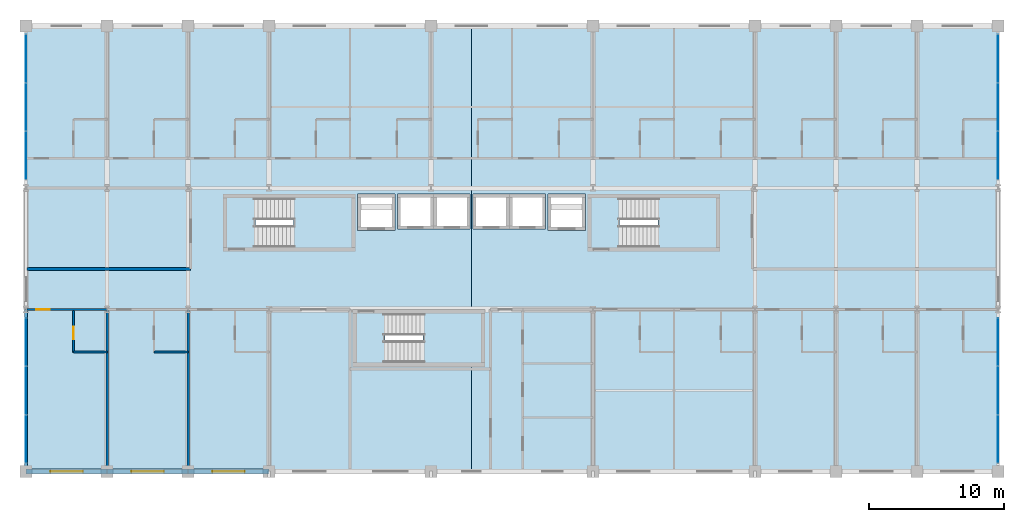
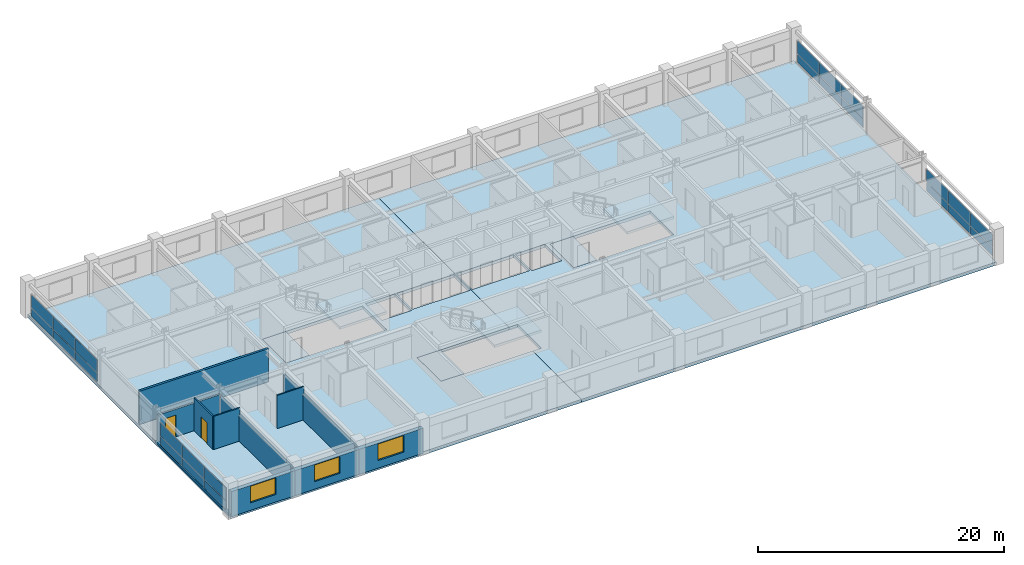
# One storey, part 15 of 22: 24 plates, 11 walls, 8 slabs, 3 windows, 2 doors, 5 openings, 7 elements without a shape of their own.
"""IFC4 building model written with IfcOpenShell, lengths in metres."""

from ifc_helpers import new_model, si_unit, direction, frame, frame_2d, origin, origin_2d, place, context, subcontext, project, spatial, polyline, rectangle, outline, extrude, material, layer, layer_set, type_object, element, fill, aggregate, save


model = new_model("IFC4")

# Units and contexts
model_context = context("Model", 3, precision=1e-05, world=origin(), true_north=direction((0.0, 1.0)))
body_context = subcontext(model_context, "Body", "Model", "MODEL_VIEW")
ifc_project = project(units=[si_unit("LENGTHUNIT", "METRE"), si_unit("AREAUNIT", "SQUARE_METRE"), si_unit("VOLUMEUNIT", "CUBIC_METRE"), si_unit("PLANEANGLEUNIT", "RADIAN"), si_unit("MASSUNIT", "GRAM", prefix="KILO")], contexts=[model_context])

# Site, building, storey
site_placement = place(None, origin())
site = spatial("IfcSite", under=ifc_project, at=site_placement, CompositionType="ELEMENT")
building_placement = place(site_placement, origin())
building = spatial("IfcBuilding", under=site, at=building_placement, Name="Kaldorvane Square Convention Centre", CompositionType="ELEMENT")
storey_placement = place(building_placement, frame((0.0, 0.0, 34.80000305175781)))
storey = spatial("IfcBuildingStorey", under=building, at=storey_placement, Name="L07", CompositionType="ELEMENT", Elevation=34.80000305175781)

# Curtain wall, plates
ifc_material_1 = material(Name="Anodized Aluminum and Low-E Insulated Glazing", Category="aluminium")
curtain_wall_type_1 = type_object("IfcCurtainWallType", Name="CW-UNI-HTL-A", PredefinedType="USERDEFINED", material=ifc_material_1)
curtain_wall_1_placement = place(storey_placement, origin())
curtain_wall_1 = element("IfcCurtainWall", 1, at=curtain_wall_1_placement, inside=storey, type_object=curtain_wall_type_1, Name="Curtain Wall CW-10 (L07)", ObjectType="UNITISED GLAZING", PredefinedType="USERDEFINED")
ifc_layer_1 = layer(ifc_material_1, 0.0240020751953125)
ifc_layer_set_1 = layer_set([ifc_layer_1], Name="Anodized Aluminum and Low-E Insulated Glazing")
plate_type_1 = type_object("IfcPlateType", Name="CW-PNL-11", PredefinedType="CURTAIN_PANEL", material=ifc_layer_set_1)
plate_1_placement = place(storey_placement, frame((96.0, 86.41499328613281, 0.2050018310546875), z_axis=(0.0, 0.0, 1.0), x_axis=(0.0, 1.0, 0.0)))
plate_1 = element("IfcPlate", 2, at=plate_1_placement, type_object=plate_type_1, Name="CW-10 panel 1.1", PredefinedType="CURTAIN_PANEL", context=body_context, shape_type="SweptSolid", body=[
    extrude(rectangle(XDim=3.5099945068359375, YDim=0.0240020751953125, at=origin_2d()), origin(), (0.0, 0.0, 1.0), 0.8175048828125),
])
plate_2_placement = place(storey_placement, frame((96.0, 86.41499328613281, 1.0774993896484375), z_axis=(0.0, 0.0, 1.0), x_axis=(0.0, 1.0, 0.0)))
plate_2 = element("IfcPlate", 3, at=plate_2_placement, type_object=plate_type_1, Name="CW-10 panel 1.2", PredefinedType="CURTAIN_PANEL", context=body_context, shape_type="SweptSolid", body=[
    extrude(rectangle(XDim=3.5099945068359375, YDim=0.0240020751953125, at=origin_2d()), origin(), (0.0, 0.0, 1.0), 1.277496337890625),
])
plate_3_placement = place(storey_placement, frame((96.0, 90.0, 0.2050018310546875), z_axis=(0.0, 0.0, 1.0), x_axis=(0.0, 1.0, 0.0)))
plate_3 = element("IfcPlate", 4, at=plate_3_placement, type_object=plate_type_1, Name="CW-10 panel 2.1", PredefinedType="CURTAIN_PANEL", context=body_context, shape_type="SweptSolid", body=[
    extrude(rectangle(XDim=3.5399932861328125, YDim=0.0240020751953125, at=origin_2d()), origin(), (0.0, 0.0, 1.0), 0.8175048828125),
])
plate_4_placement = place(storey_placement, frame((96.0, 90.0, 1.0774993896484375), z_axis=(0.0, 0.0, 1.0), x_axis=(0.0, 1.0, 0.0)))
plate_4 = element("IfcPlate", 5, at=plate_4_placement, type_object=plate_type_1, Name="CW-10 panel 2.2", PredefinedType="CURTAIN_PANEL", context=body_context, shape_type="SweptSolid", body=[
    extrude(rectangle(XDim=3.5399932861328125, YDim=0.0240020751953125, at=origin_2d()), origin(), (0.0, 0.0, 1.0), 1.277496337890625),
])
plate_5_placement = place(storey_placement, frame((96.0, 93.58500671386719, 0.2050018310546875), z_axis=(0.0, 0.0, 1.0), x_axis=(0.0, 1.0, 0.0)))
plate_5 = element("IfcPlate", 6, at=plate_5_placement, type_object=plate_type_1, Name="CW-10 panel 3.1", PredefinedType="CURTAIN_PANEL", context=body_context, shape_type="SweptSolid", body=[
    extrude(rectangle(XDim=3.5099945068359375, YDim=0.0240020751953125, at=origin_2d()), origin(), (0.0, 0.0, 1.0), 0.8175048828125),
])
plate_6_placement = place(storey_placement, frame((96.0, 93.58500671386719, 1.0774993896484375), z_axis=(0.0, 0.0, 1.0), x_axis=(0.0, 1.0, 0.0)))
plate_6 = element("IfcPlate", 7, at=plate_6_placement, type_object=plate_type_1, Name="CW-10 panel 3.2", PredefinedType="CURTAIN_PANEL", context=body_context, shape_type="SweptSolid", body=[
    extrude(rectangle(XDim=3.5099945068359375, YDim=0.0240020751953125, at=origin_2d()), origin(), (0.0, 0.0, 1.0), 1.277496337890625),
])
aggregate(curtain_wall_1, [plate_1, plate_2, plate_3, plate_4, plate_5, plate_6])

curtain_wall_2_placement = place(storey_placement, origin())
curtain_wall_2 = element("IfcCurtainWall", 8, at=curtain_wall_2_placement, inside=storey, type_object=curtain_wall_type_1, Name="Curtain Wall CW-10 (L07)", ObjectType="UNITISED GLAZING", PredefinedType="USERDEFINED")
plate_7_placement = place(storey_placement, frame((96.0, 107.41499328613281, 0.2050018310546875), z_axis=(0.0, 0.0, 1.0), x_axis=(0.0, 1.0, 0.0)))
plate_7 = element("IfcPlate", 9, at=plate_7_placement, type_object=plate_type_1, Name="CW-10 panel 1.1", PredefinedType="CURTAIN_PANEL", context=body_context, shape_type="SweptSolid", body=[
    extrude(rectangle(XDim=3.5099945068359375, YDim=0.0240020751953125, at=origin_2d()), origin(), (0.0, 0.0, 1.0), 0.8175048828125),
])
plate_8_placement = place(storey_placement, frame((96.0, 107.41499328613281, 1.0774993896484375), z_axis=(0.0, 0.0, 1.0), x_axis=(0.0, 1.0, 0.0)))
plate_8 = element("IfcPlate", 10, at=plate_8_placement, type_object=plate_type_1, Name="CW-10 panel 1.2", PredefinedType="CURTAIN_PANEL", context=body_context, shape_type="SweptSolid", body=[
    extrude(rectangle(XDim=3.5099945068359375, YDim=0.0240020751953125, at=origin_2d()), origin(), (0.0, 0.0, 1.0), 1.277496337890625),
])
plate_9_placement = place(storey_placement, frame((96.0, 111.0, 0.2050018310546875), z_axis=(0.0, 0.0, 1.0), x_axis=(0.0, 1.0, 0.0)))
plate_9 = element("IfcPlate", 11, at=plate_9_placement, type_object=plate_type_1, Name="CW-10 panel 2.1", PredefinedType="CURTAIN_PANEL", context=body_context, shape_type="SweptSolid", body=[
    extrude(rectangle(XDim=3.5399932861328125, YDim=0.0240020751953125, at=origin_2d()), origin(), (0.0, 0.0, 1.0), 0.8175048828125),
])
plate_10_placement = place(storey_placement, frame((96.0, 111.0, 1.0774993896484375), z_axis=(0.0, 0.0, 1.0), x_axis=(0.0, 1.0, 0.0)))
plate_10 = element("IfcPlate", 12, at=plate_10_placement, type_object=plate_type_1, Name="CW-10 panel 2.2", PredefinedType="CURTAIN_PANEL", context=body_context, shape_type="SweptSolid", body=[
    extrude(rectangle(XDim=3.5399932861328125, YDim=0.0240020751953125, at=origin_2d()), origin(), (0.0, 0.0, 1.0), 1.277496337890625),
])
plate_11_placement = place(storey_placement, frame((96.0, 114.58500671386719, 0.2050018310546875), z_axis=(0.0, 0.0, 1.0), x_axis=(0.0, 1.0, 0.0)))
plate_11 = element("IfcPlate", 13, at=plate_11_placement, type_object=plate_type_1, Name="CW-10 panel 3.1", PredefinedType="CURTAIN_PANEL", context=body_context, shape_type="SweptSolid", body=[
    extrude(rectangle(XDim=3.5099945068359375, YDim=0.0240020751953125, at=origin_2d()), origin(), (0.0, 0.0, 1.0), 0.8175048828125),
])
plate_12_placement = place(storey_placement, frame((96.0, 114.58500671386719, 1.0774993896484375), z_axis=(0.0, 0.0, 1.0), x_axis=(0.0, 1.0, 0.0)))
plate_12 = element("IfcPlate", 14, at=plate_12_placement, type_object=plate_type_1, Name="CW-10 panel 3.2", PredefinedType="CURTAIN_PANEL", context=body_context, shape_type="SweptSolid", body=[
    extrude(rectangle(XDim=3.5099945068359375, YDim=0.0240020751953125, at=origin_2d()), origin(), (0.0, 0.0, 1.0), 1.277496337890625),
])
aggregate(curtain_wall_2, [plate_7, plate_8, plate_9, plate_10, plate_11, plate_12])

curtain_wall_type_2 = type_object("IfcCurtainWallType", Name="CW-UNI-HTL-B", PredefinedType="USERDEFINED", material=ifc_material_1)
curtain_wall_3_placement = place(storey_placement, origin())
curtain_wall_3 = element("IfcCurtainWall", 15, at=curtain_wall_3_placement, inside=storey, type_object=curtain_wall_type_2, Name="Curtain Wall CW-11 (L07)", ObjectType="UNITISED GLAZING", PredefinedType="USERDEFINED")
ifc_layer_2 = layer(ifc_material_1, 0.0460052490234375)
ifc_layer_set_2 = layer_set([ifc_layer_2], Name="Anodized Aluminum and Low-E Insulated Glazing")
plate_type_2 = type_object("IfcPlateType", Name="CW-PNL-12", PredefinedType="CURTAIN_PANEL", material=ifc_layer_set_2)
plate_13_placement = place(storey_placement, frame((24.0, 93.58500671386719, 0.2050018310546875), z_axis=(0.0, 0.0, 1.0), x_axis=(0.0, -1.0, 0.0)))
plate_13 = element("IfcPlate", 16, at=plate_13_placement, type_object=plate_type_2, Name="CW-11 panel 1.1", PredefinedType="CURTAIN_PANEL", context=body_context, shape_type="SweptSolid", body=[
    extrude(rectangle(XDim=3.5099945068359375, YDim=0.0460052490234375, at=origin_2d()), origin(), (0.0, 0.0, 1.0), 0.8175048828125),
])
plate_14_placement = place(storey_placement, frame((24.0, 93.58500671386719, 1.0774993896484375), z_axis=(0.0, 0.0, 1.0), x_axis=(0.0, -1.0, 0.0)))
plate_14 = element("IfcPlate", 17, at=plate_14_placement, type_object=plate_type_2, Name="CW-11 panel 1.2", PredefinedType="CURTAIN_PANEL", context=body_context, shape_type="SweptSolid", body=[
    extrude(rectangle(XDim=3.5099945068359375, YDim=0.0460052490234375, at=origin_2d()), origin(), (0.0, 0.0, 1.0), 1.277496337890625),
])
plate_15_placement = place(storey_placement, frame((24.0, 90.0, 0.2050018310546875), z_axis=(0.0, 0.0, 1.0), x_axis=(0.0, -1.0, 0.0)))
plate_15 = element("IfcPlate", 18, at=plate_15_placement, type_object=plate_type_2, Name="CW-11 panel 2.1", PredefinedType="CURTAIN_PANEL", context=body_context, shape_type="SweptSolid", body=[
    extrude(rectangle(XDim=3.5399932861328125, YDim=0.0460052490234375, at=origin_2d()), origin(), (0.0, 0.0, 1.0), 0.8175048828125),
])
plate_16_placement = place(storey_placement, frame((24.0, 90.0, 1.0774993896484375), z_axis=(0.0, 0.0, 1.0), x_axis=(0.0, -1.0, 0.0)))
plate_16 = element("IfcPlate", 19, at=plate_16_placement, type_object=plate_type_2, Name="CW-11 panel 2.2", PredefinedType="CURTAIN_PANEL", context=body_context, shape_type="SweptSolid", body=[
    extrude(rectangle(XDim=3.5399932861328125, YDim=0.0460052490234375, at=origin_2d()), origin(), (0.0, 0.0, 1.0), 1.277496337890625),
])
plate_17_placement = place(storey_placement, frame((24.0, 86.41499328613281, 0.2050018310546875), z_axis=(0.0, 0.0, 1.0), x_axis=(0.0, -1.0, 0.0)))
plate_17 = element("IfcPlate", 20, at=plate_17_placement, type_object=plate_type_2, Name="CW-11 panel 3.1", PredefinedType="CURTAIN_PANEL", context=body_context, shape_type="SweptSolid", body=[
    extrude(rectangle(XDim=3.5099945068359375, YDim=0.0460052490234375, at=origin_2d()), origin(), (0.0, 0.0, 1.0), 0.8175048828125),
])
plate_18_placement = place(storey_placement, frame((24.0, 86.41499328613281, 1.0774993896484375), z_axis=(0.0, 0.0, 1.0), x_axis=(0.0, -1.0, 0.0)))
plate_18 = element("IfcPlate", 21, at=plate_18_placement, type_object=plate_type_2, Name="CW-11 panel 3.2", PredefinedType="CURTAIN_PANEL", context=body_context, shape_type="SweptSolid", body=[
    extrude(rectangle(XDim=3.5099945068359375, YDim=0.0460052490234375, at=origin_2d()), origin(), (0.0, 0.0, 1.0), 1.277496337890625),
])
aggregate(curtain_wall_3, [plate_13, plate_14, plate_15, plate_16, plate_17, plate_18])

curtain_wall_4_placement = place(storey_placement, origin())
curtain_wall_4 = element("IfcCurtainWall", 22, at=curtain_wall_4_placement, inside=storey, type_object=curtain_wall_type_2, Name="Curtain Wall CW-11 (L07)", ObjectType="UNITISED GLAZING", PredefinedType="USERDEFINED")
plate_19_placement = place(storey_placement, frame((24.0, 114.58500671386719, 0.2050018310546875), z_axis=(0.0, 0.0, 1.0), x_axis=(0.0, -1.0, 0.0)))
plate_19 = element("IfcPlate", 23, at=plate_19_placement, type_object=plate_type_2, Name="CW-11 panel 1.1", PredefinedType="CURTAIN_PANEL", context=body_context, shape_type="SweptSolid", body=[
    extrude(rectangle(XDim=3.5099945068359375, YDim=0.0460052490234375, at=origin_2d()), origin(), (0.0, 0.0, 1.0), 0.8175048828125),
])
plate_20_placement = place(storey_placement, frame((24.0, 114.58500671386719, 1.0774993896484375), z_axis=(0.0, 0.0, 1.0), x_axis=(0.0, -1.0, 0.0)))
plate_20 = element("IfcPlate", 24, at=plate_20_placement, type_object=plate_type_2, Name="CW-11 panel 1.2", PredefinedType="CURTAIN_PANEL", context=body_context, shape_type="SweptSolid", body=[
    extrude(rectangle(XDim=3.5099945068359375, YDim=0.0460052490234375, at=origin_2d()), origin(), (0.0, 0.0, 1.0), 1.277496337890625),
])
plate_21_placement = place(storey_placement, frame((24.0, 111.0, 0.2050018310546875), z_axis=(0.0, 0.0, 1.0), x_axis=(0.0, -1.0, 0.0)))
plate_21 = element("IfcPlate", 25, at=plate_21_placement, type_object=plate_type_2, Name="CW-11 panel 2.1", PredefinedType="CURTAIN_PANEL", context=body_context, shape_type="SweptSolid", body=[
    extrude(rectangle(XDim=3.5399932861328125, YDim=0.0460052490234375, at=origin_2d()), origin(), (0.0, 0.0, 1.0), 0.8175048828125),
])
plate_22_placement = place(storey_placement, frame((24.0, 111.0, 1.0774993896484375), z_axis=(0.0, 0.0, 1.0), x_axis=(0.0, -1.0, 0.0)))
plate_22 = element("IfcPlate", 26, at=plate_22_placement, type_object=plate_type_2, Name="CW-11 panel 2.2", PredefinedType="CURTAIN_PANEL", context=body_context, shape_type="SweptSolid", body=[
    extrude(rectangle(XDim=3.5399932861328125, YDim=0.0460052490234375, at=origin_2d()), origin(), (0.0, 0.0, 1.0), 1.277496337890625),
])
plate_23_placement = place(storey_placement, frame((24.0, 107.41499328613281, 0.2050018310546875), z_axis=(0.0, 0.0, 1.0), x_axis=(0.0, -1.0, 0.0)))
plate_23 = element("IfcPlate", 27, at=plate_23_placement, type_object=plate_type_2, Name="CW-11 panel 3.1", PredefinedType="CURTAIN_PANEL", context=body_context, shape_type="SweptSolid", body=[
    extrude(rectangle(XDim=3.5099945068359375, YDim=0.0460052490234375, at=origin_2d()), origin(), (0.0, 0.0, 1.0), 0.8175048828125),
])
plate_24_placement = place(storey_placement, frame((24.0, 107.41499328613281, 1.0774993896484375), z_axis=(0.0, 0.0, 1.0), x_axis=(0.0, -1.0, 0.0)))
plate_24 = element("IfcPlate", 28, at=plate_24_placement, type_object=plate_type_2, Name="CW-11 panel 3.2", PredefinedType="CURTAIN_PANEL", context=body_context, shape_type="SweptSolid", body=[
    extrude(rectangle(XDim=3.5099945068359375, YDim=0.0460052490234375, at=origin_2d()), origin(), (0.0, 0.0, 1.0), 1.277496337890625),
])
aggregate(curtain_wall_4, [plate_19, plate_20, plate_21, plate_22, plate_23, plate_24])

# Slabs
ifc_material_2 = material(Name="Concrete f'c = 42 MPa (Normalweight)", Category="concrete")
ifc_layer_3 = layer(ifc_material_2, 0.279998779296875)
ifc_layer_set_3 = layer_set([ifc_layer_3], Name="Concrete f'c = 42 MPa (Normalweight)")
slab_type_1 = type_object("IfcSlabType", Name="SL-FLND-280", PredefinedType="FLOOR", material=ifc_layer_set_3)
slab_1_placement = place(storey_placement, frame((0.0, 0.0, -0.279998779296875)))
element("IfcSlab", 29, at=slab_1_placement, inside=storey, type_object=slab_type_1, Name="Tower Exit Stair T1 Floor Landing (L07)", PredefinedType="FLOOR", context=body_context, shape_type="SweptSolid", body=[
    extrude(outline(polyline([(38.779998779296875, 100.49000549316406), (40.97999572753906, 100.49000549316406), (40.97999572753906, 104.3699951171875), (38.779998779296875, 104.3699951171875), (38.779998779296875, 100.49000549316406)])), origin(), (0.0, 0.0, 1.0), 0.279998779296875),
])
slab_2_placement = place(storey_placement, frame((0.0, 0.0, -0.279998779296875)))
element("IfcSlab", 30, at=slab_2_placement, inside=storey, type_object=slab_type_1, Name="Tower Exit Stair T2 Floor Landing (L07)", PredefinedType="FLOOR", context=body_context, shape_type="SweptSolid", body=[
    extrude(outline(polyline([(65.77999877929688, 100.49000549316406), (67.97999572753906, 100.49000549316406), (67.97999572753906, 104.3699951171875), (65.77999877929688, 104.3699951171875), (65.77999877929688, 100.49000549316406)])), origin(), (0.0, 0.0, 1.0), 0.279998779296875),
])
slab_3_placement = place(storey_placement, frame((0.0, 0.0, -0.279998779296875)))
element("IfcSlab", 31, at=slab_3_placement, inside=storey, type_object=slab_type_1, Name="Tower Exit Stair T3 Floor Landing (L07)", PredefinedType="FLOOR", context=body_context, shape_type="SweptSolid", body=[
    extrude(outline(polyline([(48.3800048828125, 91.94000244140625), (50.58000183105469, 91.94000244140625), (50.58000183105469, 95.82000732421875), (48.3800048828125, 95.82000732421875), (48.3800048828125, 91.94000244140625)])), origin(), (0.0, 0.0, 1.0), 0.279998779296875),
])
ifc_layer_4 = layer(ifc_material_2, 0.30999755859375)
ifc_layer_set_4 = layer_set([ifc_layer_4], Name="Concrete f'c = 42 MPa (Normalweight)")
slab_type_2 = type_object("IfcSlabType", Name="SL-HTL-250", PredefinedType="FLOOR", material=ifc_layer_set_4)
slab_4_placement = place(storey_placement, frame((0.0, 0.0, -0.30999755859375)))
element("IfcSlab", 32, at=slab_4_placement, inside=storey, type_object=slab_type_2, Name="Hotel Tower Floor Slab L07-1.1", PredefinedType="FLOOR", context=body_context, shape_type="SweptSolid", body=[
    extrude(outline(polyline([(24.0, 117.0), (57.0, 117.0), (57.0, 95.82000732421875), (48.3800048828125, 95.82000732421875), (48.3800048828125, 91.94000244140625), (57.0, 91.94000244140625), (57.0, 84.0), (24.0, 84.0), (24.0, 117.0)]), holes=[polyline([(38.779998779296875, 104.3699951171875), (38.779998779296875, 100.49000549316406), (48.220001220703125, 100.49000549316406), (48.220001220703125, 104.3699951171875), (38.779998779296875, 104.3699951171875)]), polyline([(48.55000305175781, 104.55000305175781), (48.55000305175781, 101.85000610351562), (51.350006103515625, 101.85000610351562), (51.350006103515625, 104.55000305175781), (48.55000305175781, 104.55000305175781)]), polyline([(51.5, 104.55000305175781), (51.5, 101.94999694824219), (54.19999694824219, 101.94999694824219), (56.899993896484375, 101.94999694824219), (56.899993896484375, 104.55000305175781), (54.19999694824219, 104.55000305175781), (51.5, 104.55000305175781)])]), origin(), (0.0, 0.0, 1.0), 0.30999755859375),
])
slab_5_placement = place(storey_placement, frame((0.0, 0.0, -0.30999755859375)))
element("IfcSlab", 33, at=slab_5_placement, inside=storey, type_object=slab_type_2, Name="Hotel Tower Floor Slab L07-2.1", PredefinedType="FLOOR", context=body_context, shape_type="SweptSolid", body=[
    extrude(outline(polyline([(96.0, 117.0), (96.0, 84.0), (57.0, 84.0), (57.0, 91.94000244140625), (57.82000732421875, 91.94000244140625), (57.82000732421875, 95.82000732421875), (57.0, 95.82000732421875), (57.0, 117.0), (96.0, 117.0)]), holes=[polyline([(65.77999877929688, 104.3699951171875), (65.77999877929688, 100.49000549316406), (75.22000122070312, 100.49000549316406), (75.22000122070312, 104.3699951171875), (65.77999877929688, 104.3699951171875)]), polyline([(62.649993896484375, 104.55000305175781), (62.649993896484375, 101.85000610351562), (65.44999694824219, 101.85000610351562), (65.44999694824219, 104.55000305175781), (62.649993896484375, 104.55000305175781)]), polyline([(57.100006103515625, 104.55000305175781), (57.100006103515625, 101.94999694824219), (59.80000305175781, 101.94999694824219), (62.5, 101.94999694824219), (62.5, 104.55000305175781), (59.80000305175781, 104.55000305175781), (57.100006103515625, 104.55000305175781)])]), origin(), (0.0, 0.0, 1.0), 0.30999755859375),
])

# Stair, slab
stair_type = type_object("IfcStairType", Name="ST-DL-1600-3600", PredefinedType="HALF_TURN_STAIR", material=ifc_material_2)
stair_1_placement = place(storey_placement, origin())
stair_1 = element("IfcStair", 34, at=stair_1_placement, inside=storey, type_object=stair_type, Name="Tower Exit Stair T1 (L07)", PredefinedType="HALF_TURN_STAIR")
ifc_layer_5 = layer(ifc_material_2, 0.2400054931640625)
ifc_layer_set_5 = layer_set([ifc_layer_5], Name="Concrete f'c = 42 MPa (Normalweight)")
slab_type_3 = type_object("IfcSlabType", Name="SL-LAND-240", PredefinedType="LANDING", material=ifc_layer_set_5)
slab_6_placement = place(storey_placement, frame((0.0, 0.0, 1.55999755859375)))
slab_6 = element("IfcSlab", 35, at=slab_6_placement, type_object=slab_type_3, Name="Tower Exit Stair T1 Half Landing (L07)", PredefinedType="LANDING", context=body_context, shape_type="SweptSolid", body=[
    extrude(outline(polyline([(43.82000732421875, 100.49000549316406), (48.220001220703125, 100.49000549316406), (48.220001220703125, 104.3699951171875), (43.82000732421875, 104.3699951171875), (43.82000732421875, 100.49000549316406)])), origin(), (0.0, 0.0, 1.0), 0.2400054931640625),
])
aggregate(stair_1, [slab_6])

stair_2_placement = place(storey_placement, origin())
stair_2 = element("IfcStair", 36, at=stair_2_placement, inside=storey, type_object=stair_type, Name="Tower Exit Stair T2 (L07)", PredefinedType="HALF_TURN_STAIR")
slab_7_placement = place(storey_placement, frame((0.0, 0.0, 1.55999755859375)))
slab_7 = element("IfcSlab", 37, at=slab_7_placement, type_object=slab_type_3, Name="Tower Exit Stair T2 Half Landing (L07)", PredefinedType="LANDING", context=body_context, shape_type="SweptSolid", body=[
    extrude(outline(polyline([(70.82000732421875, 100.49000549316406), (75.22000122070312, 100.49000549316406), (75.22000122070312, 104.3699951171875), (70.82000732421875, 104.3699951171875), (70.82000732421875, 100.49000549316406)])), origin(), (0.0, 0.0, 1.0), 0.2400054931640625),
])
aggregate(stair_2, [slab_7])

stair_3_placement = place(storey_placement, origin())
stair_3 = element("IfcStair", 38, at=stair_3_placement, inside=storey, type_object=stair_type, Name="Tower Exit Stair T3 (L07)", PredefinedType="HALF_TURN_STAIR")
slab_8_placement = place(storey_placement, frame((0.0, 0.0, 1.55999755859375)))
slab_8 = element("IfcSlab", 39, at=slab_8_placement, type_object=slab_type_3, Name="Tower Exit Stair T3 Half Landing (L07)", PredefinedType="LANDING", context=body_context, shape_type="SweptSolid", body=[
    extrude(outline(polyline([(53.41999816894531, 91.94000244140625), (57.82000732421875, 91.94000244140625), (57.82000732421875, 95.82000732421875), (53.41999816894531, 95.82000732421875), (53.41999816894531, 91.94000244140625)])), origin(), (0.0, 0.0, 1.0), 0.2400054931640625),
])
aggregate(stair_3, [slab_8])

# Wall, opening, door
ifc_material_3 = material(Name="Fire-Rated Gypsum Board on Acoustic Steel Studs", Category="steel")
ifc_layer_6 = layer(ifc_material_3, 0.125)
ifc_layer_set_6 = layer_set([ifc_layer_6], Name="Fire-Rated Gypsum Board on Acoustic Steel Studs")
wall_type_1 = type_object("IfcWallType", Name="WL-BATH-125", PredefinedType="PARTITIONING", material=ifc_layer_set_6)
wall_1_placement = place(storey_placement, frame((27.520004272460938, 92.85000610351562, 0.0), z_axis=(0.0, 0.0, 1.0), x_axis=(0.0, 1.0, 0.0)))
wall_1 = element("IfcWall", 40, at=wall_1_placement, inside=storey, type_object=wall_type_1, Name="En-Suite 713 West Wall", PredefinedType="PARTITIONING", context=body_context, shape_type="SweptSolid", body=[
    extrude(rectangle(XDim=3.05999755859375, YDim=0.125, at=frame_2d((1.529998779296875, 0.0))), origin(), (0.0, 0.0, 1.0), 3.2899932861328125),
])
opening_1_placement = place(wall_1_placement, frame((0.9499969482421875, 0.0, 0.0)))
opening_1 = element("IfcOpeningElement", 41, at=opening_1_placement, cuts=wall_1, Name="Opening ID-12", PredefinedType="OPENING", context=body_context, shape_type="SweptSolid", body=[
    extrude(rectangle(XDim=0.9199981689453125, YDim=2.100006103515625, at=frame_2d((0.459991455078125, 1.0500030517578125))), frame((0.0, 0.0774993896484375, 0.0), z_axis=(0.0, -1.0, 0.0), x_axis=(1.0, 0.0, 0.0)), (0.0, 0.0, 1.0), 0.154998779296875),
])
ifc_material_4 = material(Name="Architectural Solid-Core White Oak")
door_type_1 = type_object("IfcDoorType", Name="DR-BATH-0920X2100", OperationType="SINGLE_SWING_RIGHT", PredefinedType="DOOR", material=ifc_material_4)
door_1_placement = place(opening_1_placement, origin())
door_1 = element("IfcDoor", 42, at=door_1_placement, inside=storey, type_object=door_type_1, Name="En-Suite Bathroom 713 Door", OperationType="SINGLE_SWING_RIGHT", OverallHeight=2.100006103515625, OverallWidth=0.9199981689453125, PredefinedType="DOOR", context=body_context, shape_type="SweptSolid", body=[
    extrude(rectangle(XDim=0.9199981689453125, YDim=2.100006103515625, at=frame_2d((0.459991455078125, 1.0500030517578125))), frame((0.0, 0.024993896484375, 0.0), z_axis=(0.0, -1.0, 0.0), x_axis=(1.0, 0.0, 0.0)), (0.0, 0.0, 1.0), 0.0500030517578125),
])
fill(opening_1, door_1)

# Walls
wall_2_placement = place(storey_placement, frame((27.520004272460938, 92.85000610351562, 0.0), z_axis=(0.0, 0.0, 1.0), x_axis=(1.0, 0.0, 0.0)))
element("IfcWall", 43, at=wall_2_placement, inside=storey, type_object=wall_type_1, Name="En-Suite 713 South Wall", PredefinedType="PARTITIONING", context=body_context, shape_type="SweptSolid", body=[
    extrude(rectangle(XDim=2.4799957275390625, YDim=0.125, at=frame_2d((1.239990234375, 0.0))), origin(), (0.0, 0.0, 1.0), 3.2899932861328125),
])
wall_3_placement = place(storey_placement, frame((33.47999572753906, 92.85000610351562, 0.0), z_axis=(0.0, 0.0, 1.0), x_axis=(1.0, 0.0, 0.0)))
element("IfcWall", 44, at=wall_3_placement, inside=storey, type_object=wall_type_1, Name="En-Suite 714 South Wall", PredefinedType="PARTITIONING", context=body_context, shape_type="SweptSolid", body=[
    extrude(rectangle(XDim=2.5200042724609375, YDim=0.125, at=frame_2d((1.260009765625, 0.0))), origin(), (0.0, 0.0, 1.0), 3.2899932861328125),
])
ifc_layer_7 = layer(ifc_material_3, 0.1999969482421875)
ifc_layer_set_7 = layer_set([ifc_layer_7], Name="Fire-Rated Gypsum Board on Acoustic Steel Studs")
wall_type_2 = type_object("IfcWallType", Name="WL-CORR-200", PredefinedType="PARTITIONING", material=ifc_layer_set_7)
wall_4_placement = place(storey_placement, frame((24.085006713867188, 99.0, 0.0), z_axis=(0.0, 0.0, 1.0), x_axis=(1.0, 0.0, 0.0)))
element("IfcWall", 45, at=wall_4_placement, inside=storey, type_object=wall_type_2, Name="West Sunset Sitting Alcove (L07) S Wall", PredefinedType="PARTITIONING", context=body_context, shape_type="SweptSolid", body=[
    extrude(rectangle(XDim=12.114990234375, YDim=0.1999969482421875, at=frame_2d((6.0574951171875, 0.0))), origin(), (0.0, 0.0, 1.0), 3.2899932861328125),
])

# Wall, opening, window
ifc_layer_8 = layer(ifc_material_2, 0.350006103515625)
ifc_layer_set_8 = layer_set([ifc_layer_8], Name="Concrete f'c = 42 MPa (Normalweight)")
wall_type_3 = type_object("IfcWallType", Name="WL-EXT-350", PredefinedType="STANDARD", material=ifc_layer_set_8)
wall_5_placement = place(storey_placement, frame((24.0, 84.0, 0.0), z_axis=(0.0, 0.0, 1.0), x_axis=(1.0, 0.0, 0.0)))
wall_5 = element("IfcWall", 46, at=wall_5_placement, inside=storey, type_object=wall_type_3, Name="Hotel S Brutalist Facade Wall (L07)", PredefinedType="STANDARD", context=body_context, shape_type="SweptSolid", body=[
    extrude(rectangle(XDim=6.0, YDim=0.350006103515625, at=frame_2d((3.0, 0.0))), origin(), (0.0, 0.0, 1.0), 2.485992431640625),
])
opening_2_placement = place(wall_5_placement, frame((1.8000030517578125, 0.0, 0.75)))
opening_2 = element("IfcOpeningElement", 47, at=opening_2_placement, cuts=wall_5, Name="Opening W-01", PredefinedType="OPENING", context=body_context, shape_type="SweptSolid", body=[
    extrude(rectangle(XDim=2.399993896484375, YDim=1.649993896484375, at=frame_2d((1.1999969482421875, 0.8249969482421875))), frame((0.0, 0.19000244140625, 0.0), z_axis=(0.0, -1.0, 0.0), x_axis=(1.0, 0.0, 0.0)), (0.0, 0.0, 1.0), 0.3800048828125),
])
window_type = type_object("IfcWindowType", Name="WN-HTL-2400X1650", PartitioningType="DOUBLE_PANEL_VERTICAL", PredefinedType="WINDOW", material=ifc_material_1)
window_1_placement = place(opening_2_placement, origin())
window_1 = element("IfcWindow", 48, at=window_1_placement, inside=storey, type_object=window_type, Name="Hotel S Window (L07)", OverallHeight=1.649993896484375, OverallWidth=2.399993896484375, PartitioningType="DOUBLE_PANEL_VERTICAL", PredefinedType="WINDOW", context=body_context, shape_type="SweptSolid", body=[
    extrude(rectangle(XDim=2.399993896484375, YDim=1.649993896484375, at=frame_2d((1.1999969482421875, 0.8249969482421875))), frame((0.0, 0.029998779296875, 0.0), z_axis=(0.0, -1.0, 0.0), x_axis=(1.0, 0.0, 0.0)), (0.0, 0.0, 1.0), 0.05999755859375),
])
fill(opening_2, window_1)

wall_6_placement = place(storey_placement, frame((30.0, 84.0, 0.0), z_axis=(0.0, 0.0, 1.0), x_axis=(1.0, 0.0, 0.0)))
wall_6 = element("IfcWall", 49, at=wall_6_placement, inside=storey, type_object=wall_type_3, Name="Hotel S Brutalist Facade Wall (L07)", PredefinedType="STANDARD", context=body_context, shape_type="SweptSolid", body=[
    extrude(rectangle(XDim=6.0, YDim=0.350006103515625, at=frame_2d((3.0, 0.0))), origin(), (0.0, 0.0, 1.0), 2.485992431640625),
])
opening_3_placement = place(wall_6_placement, frame((1.8000030517578125, 0.0, 0.75)))
opening_3 = element("IfcOpeningElement", 50, at=opening_3_placement, cuts=wall_6, Name="Opening W-01", PredefinedType="OPENING", context=body_context, shape_type="SweptSolid", body=[
    extrude(rectangle(XDim=2.399993896484375, YDim=1.649993896484375, at=frame_2d((1.1999969482421875, 0.8249969482421875))), frame((0.0, 0.19000244140625, 0.0), z_axis=(0.0, -1.0, 0.0), x_axis=(1.0, 0.0, 0.0)), (0.0, 0.0, 1.0), 0.3800048828125),
])
window_2_placement = place(opening_3_placement, origin())
window_2 = element("IfcWindow", 51, at=window_2_placement, inside=storey, type_object=window_type, Name="Hotel S Window (L07)", OverallHeight=1.649993896484375, OverallWidth=2.399993896484375, PartitioningType="DOUBLE_PANEL_VERTICAL", PredefinedType="WINDOW", context=body_context, shape_type="SweptSolid", body=[
    extrude(rectangle(XDim=2.399993896484375, YDim=1.649993896484375, at=frame_2d((1.1999969482421875, 0.8249969482421875))), frame((0.0, 0.029998779296875, 0.0), z_axis=(0.0, -1.0, 0.0), x_axis=(1.0, 0.0, 0.0)), (0.0, 0.0, 1.0), 0.05999755859375),
])
fill(opening_3, window_2)

wall_7_placement = place(storey_placement, frame((36.0, 84.0, 0.0), z_axis=(0.0, 0.0, 1.0), x_axis=(1.0, 0.0, 0.0)))
wall_7 = element("IfcWall", 52, at=wall_7_placement, inside=storey, type_object=wall_type_3, Name="Hotel S Brutalist Facade Wall (L07)", PredefinedType="STANDARD", context=body_context, shape_type="SweptSolid", body=[
    extrude(rectangle(XDim=6.0, YDim=0.350006103515625, at=frame_2d((3.0, 0.0))), origin(), (0.0, 0.0, 1.0), 2.485992431640625),
])
opening_4_placement = place(wall_7_placement, frame((1.8000030517578125, 0.0, 0.75)))
opening_4 = element("IfcOpeningElement", 53, at=opening_4_placement, cuts=wall_7, Name="Opening W-01", PredefinedType="OPENING", context=body_context, shape_type="SweptSolid", body=[
    extrude(rectangle(XDim=2.399993896484375, YDim=1.649993896484375, at=frame_2d((1.1999969482421875, 0.8249969482421875))), frame((0.0, 0.19000244140625, 0.0), z_axis=(0.0, -1.0, 0.0), x_axis=(1.0, 0.0, 0.0)), (0.0, 0.0, 1.0), 0.3800048828125),
])
window_3_placement = place(opening_4_placement, origin())
window_3 = element("IfcWindow", 54, at=window_3_placement, inside=storey, type_object=window_type, Name="Hotel S Window (L07)", OverallHeight=1.649993896484375, OverallWidth=2.399993896484375, PartitioningType="DOUBLE_PANEL_VERTICAL", PredefinedType="WINDOW", context=body_context, shape_type="SweptSolid", body=[
    extrude(rectangle(XDim=2.399993896484375, YDim=1.649993896484375, at=frame_2d((1.1999969482421875, 0.8249969482421875))), frame((0.0, 0.029998779296875, 0.0), z_axis=(0.0, -1.0, 0.0), x_axis=(1.0, 0.0, 0.0)), (0.0, 0.0, 1.0), 0.05999755859375),
])
fill(opening_4, window_3)

# Wall
ifc_material_5 = material(Name="Concrete f'c = 35 MPa (Normalweight)", Category="concrete")
ifc_layer_9 = layer(ifc_material_5, 0.220001220703125)
ifc_layer_set_9 = layer_set([ifc_layer_9], Name="Concrete f'c = 35 MPa (Normalweight)")
wall_type_4 = type_object("IfcWallType", Name="WL-PAR-220", PredefinedType="PARAPET", material=ifc_layer_set_9)
wall_8_placement = place(storey_placement, frame((24.0, 96.0, 0.0), z_axis=(0.0, 0.0, 1.0), x_axis=(0.0, -1.0, 0.0)))
element("IfcWall", 55, at=wall_8_placement, inside=storey, type_object=wall_type_4, Name="Hotel End Curtain-Wall Sill (L07)", PredefinedType="PARAPET", context=body_context, shape_type="SweptSolid", body=[
    extrude(rectangle(XDim=12.0, YDim=0.220001220703125, at=frame_2d((6.0, 0.0))), origin(), (0.0, 0.0, 1.0), 0.1999969482421875),
])

# Wall, opening, door
ifc_layer_10 = layer(ifc_material_3, 0.17999267578125)
ifc_layer_set_10 = layer_set([ifc_layer_10], Name="Fire-Rated Gypsum Board on Acoustic Steel Studs")
wall_type_5 = type_object("IfcWallType", Name="WL-UNIT-180", PredefinedType="PARTITIONING", material=ifc_layer_set_10)
wall_9_placement = place(storey_placement, frame((24.085006713867188, 96.0, 0.0), z_axis=(0.0, 0.0, 1.0), x_axis=(1.0, 0.0, 0.0)))
wall_9 = element("IfcWall", 56, at=wall_9_placement, inside=storey, type_object=wall_type_5, Name="Hotel Guest Room 713 Corridor Wall", PredefinedType="PARTITIONING", context=body_context, shape_type="SweptSolid", body=[
    extrude(rectangle(XDim=5.9149932861328125, YDim=0.17999267578125, at=frame_2d((2.957489013671875, 0.0))), origin(), (0.0, 0.0, 1.0), 2.735992431640625),
])
opening_5_placement = place(wall_9_placement, frame((0.68499755859375, 0.0, 0.0)))
opening_5 = element("IfcOpeningElement", 57, at=opening_5_placement, cuts=wall_9, Name="Opening ID-10", PredefinedType="OPENING", context=body_context, shape_type="SweptSolid", body=[
    extrude(rectangle(XDim=1.0, YDim=2.149993896484375, at=frame_2d((0.5, 1.0749969482421875))), frame((0.0, 0.1049957275390625, 0.0), z_axis=(0.0, -1.0, 0.0), x_axis=(1.0, 0.0, 0.0)), (0.0, 0.0, 1.0), 0.209991455078125),
])
door_type_2 = type_object("IfcDoorType", Name="DR-GUEST-1000X2150", OperationType="SINGLE_SWING_LEFT", PredefinedType="DOOR", material=ifc_material_4)
door_2_placement = place(opening_5_placement, origin())
door_2 = element("IfcDoor", 58, at=door_2_placement, inside=storey, type_object=door_type_2, Name="Hotel Guest Room 713 Entry Door", OperationType="SINGLE_SWING_LEFT", OverallHeight=2.149993896484375, OverallWidth=1.0, PredefinedType="DOOR", context=body_context, shape_type="SweptSolid", body=[
    extrude(rectangle(XDim=1.0, YDim=2.149993896484375, at=frame_2d((0.5, 1.0749969482421875))), frame((0.0, 0.024993896484375, 0.0), z_axis=(0.0, -1.0, 0.0), x_axis=(1.0, 0.0, 0.0)), (0.0, 0.0, 1.0), 0.0500030517578125),
])
fill(opening_5, door_2)

# Walls
for number, where, z_axis, x_axis, name in (
    (59, (30.0, 84.17500305175781, 0.0), (0.0, 0.0, 1.0), (0.0, 1.0, 0.0), "Guestroom Demising Wall 713"),
    (60, (36.0, 84.17500305175781, 0.0), (0.0, 0.0, 1.0), (0.0, 1.0, 0.0), "Guestroom Demising Wall 714"),
):
    element("IfcWall", number, at=place(storey_placement, frame(where, z_axis=z_axis, x_axis=x_axis)), inside=storey, type_object=wall_type_5, Name=name, PredefinedType="PARTITIONING", context=body_context, shape_type="SweptSolid", body=[
        extrude(rectangle(XDim=11.824996948242188, YDim=0.17999267578125, at=frame_2d((5.912506103515625, 0.0))), origin(), (0.0, 0.0, 1.0), 2.589996337890625),
    ])

save(model, "model.ifc")
